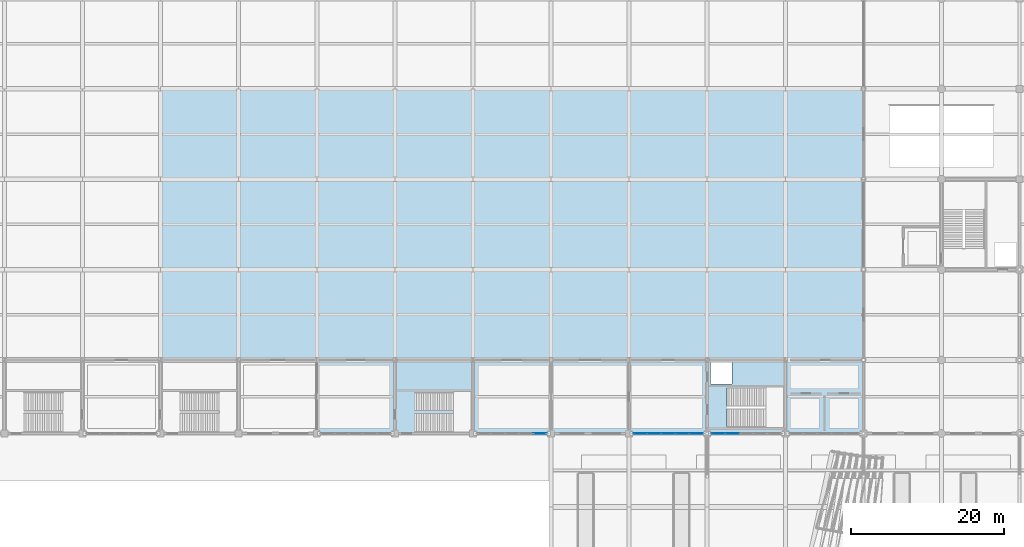
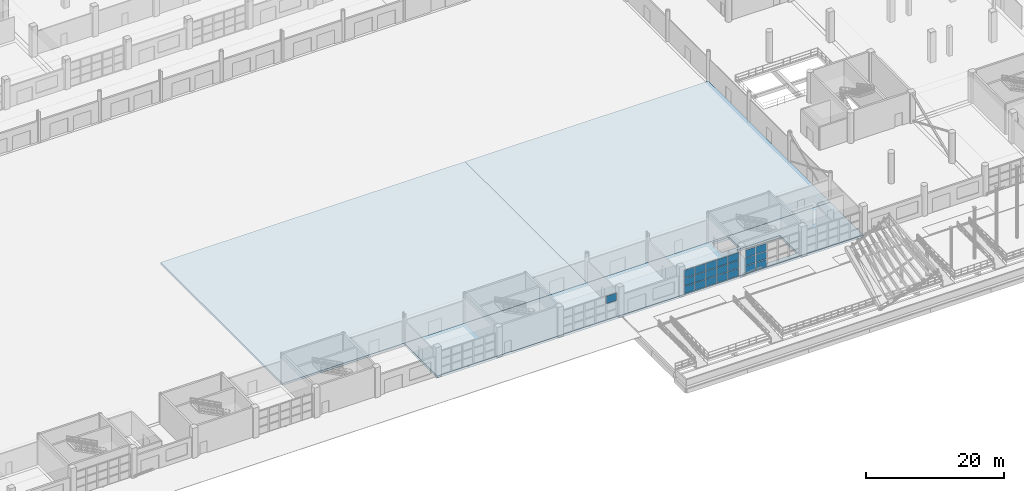
# One storey, part 74 of 124: 22 plates, 3 slabs, 3 elements without a shape of their own.
"""IFC4 building model written with IfcOpenShell, lengths in metres."""

from ifc_helpers import new_model, si_unit, direction, frame, origin, origin_2d, place, context, subcontext, project, spatial, polyline, rectangle, outline, extrude, material, layer, layer_set, type_object, element, aggregate, save


model = new_model("IFC4")

# Units and contexts
model_context = context("Model", 3, precision=1e-05, world=origin(), true_north=direction((0.0, 1.0)))
body_context = subcontext(model_context, "Body", "Model", "MODEL_VIEW")
ifc_project = project(units=[si_unit("LENGTHUNIT", "METRE"), si_unit("AREAUNIT", "SQUARE_METRE"), si_unit("VOLUMEUNIT", "CUBIC_METRE"), si_unit("PLANEANGLEUNIT", "RADIAN"), si_unit("MASSUNIT", "GRAM", prefix="KILO")], contexts=[model_context])

# Site, building, storey
site_placement = place(None, origin())
site = spatial("IfcSite", under=ifc_project, at=site_placement, CompositionType="ELEMENT")
building_placement = place(site_placement, origin())
building = spatial("IfcBuilding", under=site, at=building_placement, Name="Brelvane Convention Centre", CompositionType="ELEMENT")
storey_placement = place(building_placement, origin())
storey = spatial("IfcBuildingStorey", under=building, at=storey_placement, Name="L00", CompositionType="ELEMENT", Elevation=0.0)

# Curtain wall, plate
ifc_material_1 = material(Name="Anodised Aluminium Alloy 6063-T6", Category="aluminium")
curtain_wall_type = type_object("IfcCurtainWallType", Name="Curtain Wall CW-CONC", PredefinedType="USERDEFINED", material=ifc_material_1)
curtain_wall_1_placement = place(storey_placement, origin())
curtain_wall_1 = element("IfcCurtainWall", 1, at=curtain_wall_1_placement, inside=storey, type_object=curtain_wall_type, Name="Curtain Wall CW-CONC L00-V1S-10", ObjectType="UNITISED", PredefinedType="USERDEFINED")
ifc_material_2 = material(Name="Double Glazed Low-E Laminated Unit")
ifc_layer_1 = layer(ifc_material_2, 0.031982421875)
ifc_layer_set_1 = layer_set([ifc_layer_1], Name="Double Glazed Low-E Laminated Unit")
plate_type = type_object("IfcPlateType", Name="Curtain Panel CW-PG1", PredefinedType="CURTAIN_PANEL", material=ifc_layer_set_1)
plate_1_placement = place(storey_placement, frame((100.56005859375, 19.199951171875, 2.90673828125), z_axis=(0.0, 0.0, 1.0), x_axis=(1.0, 0.0, 0.0)))
plate_1 = element("IfcPlate", 2, at=plate_1_placement, type_object=plate_type, Name="CW-CONC panel 5.3", PredefinedType="CURTAIN_PANEL", context=body_context, shape_type="SweptSolid", body=[
    extrude(rectangle(XDim=1.719970703125, YDim=0.031982421875, at=origin_2d()), origin(), (0.0, 0.0, 1.0), 1.313232421875),
])
aggregate(curtain_wall_1, [plate_1])

# Curtain wall, plates
curtain_wall_2_placement = place(storey_placement, origin())
curtain_wall_2 = element("IfcCurtainWall", 3, at=curtain_wall_2_placement, inside=storey, type_object=curtain_wall_type, Name="Curtain Wall CW-CONC L00-V1S-12", ObjectType="UNITISED", PredefinedType="USERDEFINED")
plate_2_placement = place(storey_placement, frame((113.639892578125, 19.199951171875, 0.080078125), z_axis=(0.0, 0.0, 1.0), x_axis=(1.0, 0.0, 0.0)))
plate_2 = element("IfcPlate", 4, at=plate_2_placement, type_object=plate_type, Name="CW-CONC panel 1.1", PredefinedType="CURTAIN_PANEL", context=body_context, shape_type="SweptSolid", body=[
    extrude(rectangle(XDim=1.719970703125, YDim=0.031982421875, at=origin_2d()), origin(), (0.0, 0.0, 1.0), 1.313232421875),
])
plate_3_placement = place(storey_placement, frame((113.639892578125, 19.199951171875, 1.47314453125), z_axis=(0.0, 0.0, 1.0), x_axis=(1.0, 0.0, 0.0)))
plate_3 = element("IfcPlate", 5, at=plate_3_placement, type_object=plate_type, Name="CW-CONC panel 1.2", PredefinedType="CURTAIN_PANEL", context=body_context, shape_type="SweptSolid", body=[
    extrude(rectangle(XDim=1.719970703125, YDim=0.031982421875, at=origin_2d()), origin(), (0.0, 0.0, 1.0), 1.353515625),
])
plate_4_placement = place(storey_placement, frame((113.639892578125, 19.199951171875, 2.90673828125), z_axis=(0.0, 0.0, 1.0), x_axis=(1.0, 0.0, 0.0)))
plate_4 = element("IfcPlate", 6, at=plate_4_placement, type_object=plate_type, Name="CW-CONC panel 1.3", PredefinedType="CURTAIN_PANEL", context=body_context, shape_type="SweptSolid", body=[
    extrude(rectangle(XDim=1.719970703125, YDim=0.031982421875, at=origin_2d()), origin(), (0.0, 0.0, 1.0), 1.313232421875),
])
plate_5_placement = place(storey_placement, frame((115.4599609375, 19.199951171875, 0.080078125), z_axis=(0.0, 0.0, 1.0), x_axis=(1.0, 0.0, 0.0)))
plate_5 = element("IfcPlate", 7, at=plate_5_placement, type_object=plate_type, Name="CW-CONC panel 2.1", PredefinedType="CURTAIN_PANEL", context=body_context, shape_type="SweptSolid", body=[
    extrude(rectangle(XDim=1.760009765625, YDim=0.031982421875, at=origin_2d()), origin(), (0.0, 0.0, 1.0), 1.313232421875),
])
plate_6_placement = place(storey_placement, frame((115.4599609375, 19.199951171875, 1.47314453125), z_axis=(0.0, 0.0, 1.0), x_axis=(1.0, 0.0, 0.0)))
plate_6 = element("IfcPlate", 8, at=plate_6_placement, type_object=plate_type, Name="CW-CONC panel 2.2", PredefinedType="CURTAIN_PANEL", context=body_context, shape_type="SweptSolid", body=[
    extrude(rectangle(XDim=1.760009765625, YDim=0.031982421875, at=origin_2d()), origin(), (0.0, 0.0, 1.0), 1.353515625),
])
plate_7_placement = place(storey_placement, frame((115.4599609375, 19.199951171875, 2.90673828125), z_axis=(0.0, 0.0, 1.0), x_axis=(1.0, 0.0, 0.0)))
plate_7 = element("IfcPlate", 9, at=plate_7_placement, type_object=plate_type, Name="CW-CONC panel 2.3", PredefinedType="CURTAIN_PANEL", context=body_context, shape_type="SweptSolid", body=[
    extrude(rectangle(XDim=1.760009765625, YDim=0.031982421875, at=origin_2d()), origin(), (0.0, 0.0, 1.0), 1.313232421875),
])
plate_8_placement = place(storey_placement, frame((117.300048828125, 19.199951171875, 0.080078125), z_axis=(0.0, 0.0, 1.0), x_axis=(1.0, 0.0, 0.0)))
plate_8 = element("IfcPlate", 10, at=plate_8_placement, type_object=plate_type, Name="CW-CONC panel 3.1", PredefinedType="CURTAIN_PANEL", context=body_context, shape_type="SweptSolid", body=[
    extrude(rectangle(XDim=1.760009765625, YDim=0.031982421875, at=origin_2d()), origin(), (0.0, 0.0, 1.0), 1.313232421875),
])
plate_9_placement = place(storey_placement, frame((117.300048828125, 19.199951171875, 1.47314453125), z_axis=(0.0, 0.0, 1.0), x_axis=(1.0, 0.0, 0.0)))
plate_9 = element("IfcPlate", 11, at=plate_9_placement, type_object=plate_type, Name="CW-CONC panel 3.2", PredefinedType="CURTAIN_PANEL", context=body_context, shape_type="SweptSolid", body=[
    extrude(rectangle(XDim=1.760009765625, YDim=0.031982421875, at=origin_2d()), origin(), (0.0, 0.0, 1.0), 1.353515625),
])
plate_10_placement = place(storey_placement, frame((117.300048828125, 19.199951171875, 2.90673828125), z_axis=(0.0, 0.0, 1.0), x_axis=(1.0, 0.0, 0.0)))
plate_10 = element("IfcPlate", 12, at=plate_10_placement, type_object=plate_type, Name="CW-CONC panel 3.3", PredefinedType="CURTAIN_PANEL", context=body_context, shape_type="SweptSolid", body=[
    extrude(rectangle(XDim=1.760009765625, YDim=0.031982421875, at=origin_2d()), origin(), (0.0, 0.0, 1.0), 1.313232421875),
])
plate_11_placement = place(storey_placement, frame((119.139892578125, 19.199951171875, 0.080078125), z_axis=(0.0, 0.0, 1.0), x_axis=(1.0, 0.0, 0.0)))
plate_11 = element("IfcPlate", 13, at=plate_11_placement, type_object=plate_type, Name="CW-CONC panel 4.1", PredefinedType="CURTAIN_PANEL", context=body_context, shape_type="SweptSolid", body=[
    extrude(rectangle(XDim=1.760009765625, YDim=0.031982421875, at=origin_2d()), origin(), (0.0, 0.0, 1.0), 1.313232421875),
])
plate_12_placement = place(storey_placement, frame((119.139892578125, 19.199951171875, 1.47314453125), z_axis=(0.0, 0.0, 1.0), x_axis=(1.0, 0.0, 0.0)))
plate_12 = element("IfcPlate", 14, at=plate_12_placement, type_object=plate_type, Name="CW-CONC panel 4.2", PredefinedType="CURTAIN_PANEL", context=body_context, shape_type="SweptSolid", body=[
    extrude(rectangle(XDim=1.760009765625, YDim=0.031982421875, at=origin_2d()), origin(), (0.0, 0.0, 1.0), 1.353515625),
])
plate_13_placement = place(storey_placement, frame((119.139892578125, 19.199951171875, 2.90673828125), z_axis=(0.0, 0.0, 1.0), x_axis=(1.0, 0.0, 0.0)))
plate_13 = element("IfcPlate", 15, at=plate_13_placement, type_object=plate_type, Name="CW-CONC panel 4.3", PredefinedType="CURTAIN_PANEL", context=body_context, shape_type="SweptSolid", body=[
    extrude(rectangle(XDim=1.760009765625, YDim=0.031982421875, at=origin_2d()), origin(), (0.0, 0.0, 1.0), 1.313232421875),
])
plate_14_placement = place(storey_placement, frame((120.9599609375, 19.199951171875, 0.080078125), z_axis=(0.0, 0.0, 1.0), x_axis=(1.0, 0.0, 0.0)))
plate_14 = element("IfcPlate", 16, at=plate_14_placement, type_object=plate_type, Name="CW-CONC panel 5.1", PredefinedType="CURTAIN_PANEL", context=body_context, shape_type="SweptSolid", body=[
    extrude(rectangle(XDim=1.719970703125, YDim=0.031982421875, at=origin_2d()), origin(), (0.0, 0.0, 1.0), 1.313232421875),
])
plate_15_placement = place(storey_placement, frame((120.9599609375, 19.199951171875, 1.47314453125), z_axis=(0.0, 0.0, 1.0), x_axis=(1.0, 0.0, 0.0)))
plate_15 = element("IfcPlate", 17, at=plate_15_placement, type_object=plate_type, Name="CW-CONC panel 5.2", PredefinedType="CURTAIN_PANEL", context=body_context, shape_type="SweptSolid", body=[
    extrude(rectangle(XDim=1.719970703125, YDim=0.031982421875, at=origin_2d()), origin(), (0.0, 0.0, 1.0), 1.353515625),
])
plate_16_placement = place(storey_placement, frame((120.9599609375, 19.199951171875, 2.90673828125), z_axis=(0.0, 0.0, 1.0), x_axis=(1.0, 0.0, 0.0)))
plate_16 = element("IfcPlate", 18, at=plate_16_placement, type_object=plate_type, Name="CW-CONC panel 5.3", PredefinedType="CURTAIN_PANEL", context=body_context, shape_type="SweptSolid", body=[
    extrude(rectangle(XDim=1.719970703125, YDim=0.031982421875, at=origin_2d()), origin(), (0.0, 0.0, 1.0), 1.313232421875),
])
aggregate(curtain_wall_2, [plate_2, plate_3, plate_4, plate_5, plate_6, plate_7, plate_8, plate_9, plate_10, plate_11, plate_12, plate_13, plate_14, plate_15, plate_16])

curtain_wall_3_placement = place(storey_placement, origin())
curtain_wall_3 = element("IfcCurtainWall", 19, at=curtain_wall_3_placement, inside=storey, type_object=curtain_wall_type, Name="Curtain Wall CW-CONC L00-V1S-13", ObjectType="UNITISED", PredefinedType="USERDEFINED")
plate_17_placement = place(storey_placement, frame((123.840087890625, 19.199951171875, 0.080078125), z_axis=(0.0, 0.0, 1.0), x_axis=(1.0, 0.0, 0.0)))
plate_17 = element("IfcPlate", 20, at=plate_17_placement, type_object=plate_type, Name="CW-CONC panel 1.1", PredefinedType="CURTAIN_PANEL", context=body_context, shape_type="SweptSolid", body=[
    extrude(rectangle(XDim=1.719970703125, YDim=0.031982421875, at=origin_2d()), origin(), (0.0, 0.0, 1.0), 1.313232421875),
])
plate_18_placement = place(storey_placement, frame((123.840087890625, 19.199951171875, 1.47314453125), z_axis=(0.0, 0.0, 1.0), x_axis=(1.0, 0.0, 0.0)))
plate_18 = element("IfcPlate", 21, at=plate_18_placement, type_object=plate_type, Name="CW-CONC panel 1.2", PredefinedType="CURTAIN_PANEL", context=body_context, shape_type="SweptSolid", body=[
    extrude(rectangle(XDim=1.719970703125, YDim=0.031982421875, at=origin_2d()), origin(), (0.0, 0.0, 1.0), 1.353515625),
])
plate_19_placement = place(storey_placement, frame((123.840087890625, 19.199951171875, 2.90673828125), z_axis=(0.0, 0.0, 1.0), x_axis=(1.0, 0.0, 0.0)))
plate_19 = element("IfcPlate", 22, at=plate_19_placement, type_object=plate_type, Name="CW-CONC panel 1.3", PredefinedType="CURTAIN_PANEL", context=body_context, shape_type="SweptSolid", body=[
    extrude(rectangle(XDim=1.719970703125, YDim=0.031982421875, at=origin_2d()), origin(), (0.0, 0.0, 1.0), 1.313232421875),
])
plate_20_placement = place(storey_placement, frame((125.659912109375, 19.199951171875, 0.080078125), z_axis=(0.0, 0.0, 1.0), x_axis=(1.0, 0.0, 0.0)))
plate_20 = element("IfcPlate", 23, at=plate_20_placement, type_object=plate_type, Name="CW-CONC panel 2.1", PredefinedType="CURTAIN_PANEL", context=body_context, shape_type="SweptSolid", body=[
    extrude(rectangle(XDim=1.760009765625, YDim=0.031982421875, at=origin_2d()), origin(), (0.0, 0.0, 1.0), 1.313232421875),
])
plate_21_placement = place(storey_placement, frame((125.659912109375, 19.199951171875, 1.47314453125), z_axis=(0.0, 0.0, 1.0), x_axis=(1.0, 0.0, 0.0)))
plate_21 = element("IfcPlate", 24, at=plate_21_placement, type_object=plate_type, Name="CW-CONC panel 2.2", PredefinedType="CURTAIN_PANEL", context=body_context, shape_type="SweptSolid", body=[
    extrude(rectangle(XDim=1.760009765625, YDim=0.031982421875, at=origin_2d()), origin(), (0.0, 0.0, 1.0), 1.353515625),
])
plate_22_placement = place(storey_placement, frame((125.659912109375, 19.199951171875, 2.90673828125), z_axis=(0.0, 0.0, 1.0), x_axis=(1.0, 0.0, 0.0)))
plate_22 = element("IfcPlate", 25, at=plate_22_placement, type_object=plate_type, Name="CW-CONC panel 2.3", PredefinedType="CURTAIN_PANEL", context=body_context, shape_type="SweptSolid", body=[
    extrude(rectangle(XDim=1.760009765625, YDim=0.031982421875, at=origin_2d()), origin(), (0.0, 0.0, 1.0), 1.313232421875),
])
aggregate(curtain_wall_3, [plate_17, plate_18, plate_19, plate_20, plate_21, plate_22])

# Slabs
ifc_material_3 = material(Name="Concrete M40", Category="concrete")
ifc_layer_2 = layer(ifc_material_3, 0.364990234375)
ifc_layer_set_2 = layer_set([ifc_layer_2], Name="Concrete M40")
slab_type_1 = type_object("IfcSlabType", Name="Structural Slab SL-EXH-365", PredefinedType="FLOOR", material=ifc_layer_set_2)
slab_1_placement = place(storey_placement, frame((0.0, 0.0, -0.364990234375)))
element("IfcSlab", 26, at=slab_1_placement, inside=storey, type_object=slab_type_1, Name="L00 ExhHallB Slab EH2", PredefinedType="FLOOR", context=body_context, shape_type="SweptSolid", body=[
    extrude(outline(polyline([(51.0, 28.800048828125), (102.0, 28.800048828125), (102.0, 64.199951171875), (51.0, 64.199951171875), (51.0, 28.800048828125)])), origin(), (0.0, 0.0, 1.0), 0.364990234375),
])
ifc_material_4 = material(Name="Concrete M40", Category="concrete")
ifc_layer_3 = layer(ifc_material_4, 0.3798828125)
ifc_layer_set_3 = layer_set([ifc_layer_3], Name="Concrete M40")
slab_type_2 = type_object("IfcSlabType", Name="Structural Slab SL-EXH-380", PredefinedType="FLOOR", material=ifc_layer_set_3)
slab_2_placement = place(storey_placement, frame((0.0, 0.0, -0.3798828125)))
element("IfcSlab", 27, at=slab_2_placement, inside=storey, type_object=slab_type_2, Name="L00 ExhHall Slab EH3", PredefinedType="FLOOR", context=body_context, shape_type="SweptSolid", body=[
    extrude(outline(polyline([(102.0, 28.800048828125), (142.800048828125, 28.800048828125), (142.800048828125, 64.199951171875), (102.0, 64.199951171875), (102.0, 28.800048828125)])), origin(), (0.0, 0.0, 1.0), 0.3798828125),
])
ifc_material_5 = material(Name="Concrete M40", Category="concrete")
ifc_layer_4 = layer(ifc_material_5, 0.39990234375)
ifc_layer_set_4 = layer_set([ifc_layer_4], Name="Concrete M40")
slab_type_3 = type_object("IfcSlabType", Name="Structural Slab SL-PLINTH-400", PredefinedType="BASESLAB", material=ifc_layer_set_4)
slab_3_placement = place(storey_placement, frame((0.0, 0.0, -0.39990234375)))
element("IfcSlab", 28, at=slab_3_placement, inside=storey, type_object=slab_type_3, Name="L00 Podium Slab CONC-E", PredefinedType="BASESLAB", context=body_context, shape_type="SweptSolid", body=[
    extrude(outline(polyline([(71.39990234375, 19.199951171875), (142.800048828125, 19.199951171875), (142.800048828125, 28.800048828125), (71.39990234375, 28.800048828125), (71.39990234375, 19.199951171875)]), holes=[polyline([(125.0, 20.050048828125), (132.25, 20.050048828125), (132.25, 25.14990234375), (125.0, 25.14990234375), (125.0, 20.050048828125)]), polyline([(122.800048828125, 25.64990234375), (125.64990234375, 25.64990234375), (125.64990234375, 28.449951171875), (122.800048828125, 28.449951171875), (122.800048828125, 25.64990234375)])]), origin(), (0.0, 0.0, 1.0), 0.39990234375),
])

save(model, "model.ifc")
